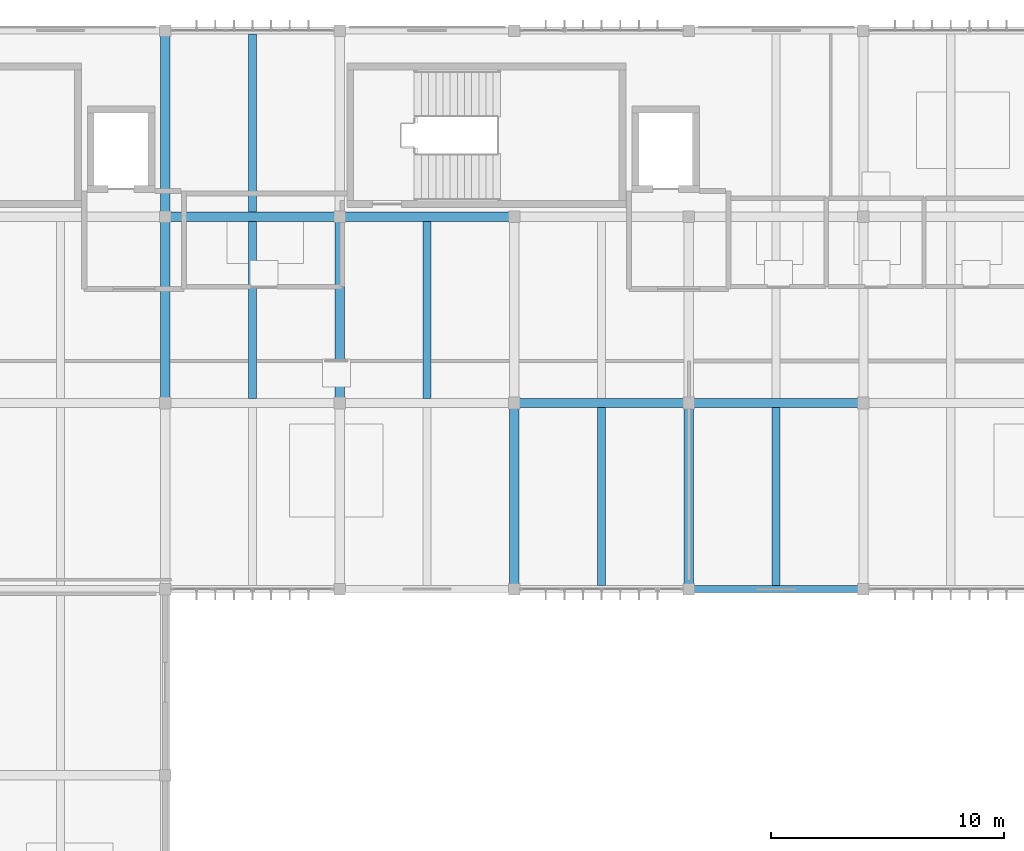
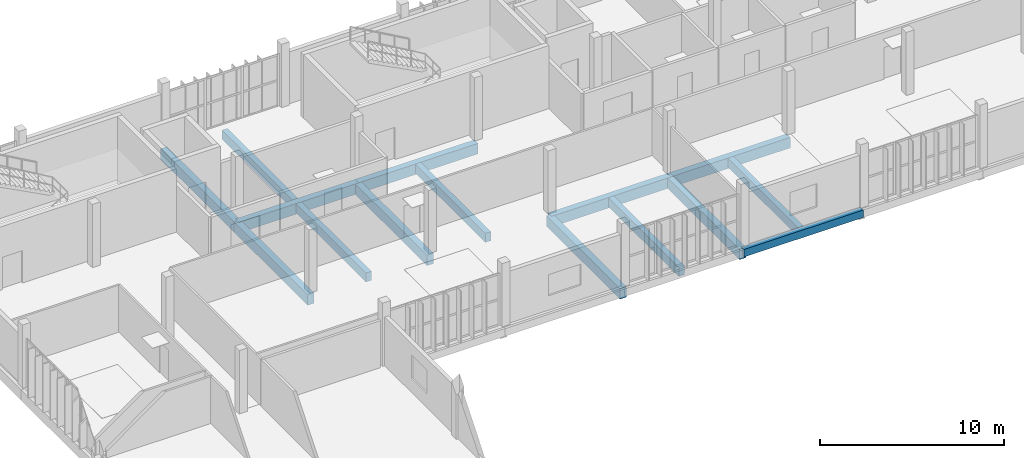
# One storey, part 6 of 27: 15 beams.
"""IFC4 building model written with IfcOpenShell, lengths in metres."""

from ifc_helpers import new_model, si_unit, direction, frame, origin, origin_2d, place, context, subcontext, project, spatial, rectangle, extrude, material, material_profile, profile_set, type_object, element, save


model = new_model("IFC4")

# Units and contexts
model_context = context("Model", 3, precision=1e-05, world=origin(), true_north=direction((0.0, 1.0)))
body_context = subcontext(model_context, "Body", "Model", "MODEL_VIEW")
ifc_project = project(units=[si_unit("LENGTHUNIT", "METRE"), si_unit("AREAUNIT", "SQUARE_METRE"), si_unit("VOLUMEUNIT", "CUBIC_METRE"), si_unit("PLANEANGLEUNIT", "RADIAN"), si_unit("MASSUNIT", "GRAM", prefix="KILO")], contexts=[model_context])

# Site, building, storey
site_placement = place(None, origin())
site = spatial("IfcSite", under=ifc_project, at=site_placement, CompositionType="ELEMENT")
building_placement = place(site_placement, origin())
building = spatial("IfcBuilding", under=site, at=building_placement, Name="Vourika Railside Aquatics Centre", CompositionType="ELEMENT")
storey_placement = place(building_placement, frame((0.0, 0.0, 13.5)))
storey = spatial("IfcBuildingStorey", under=building, at=storey_placement, Name="L03", CompositionType="ELEMENT", Elevation=13.5)

# Beams
ifc_material = material(Name="Concrete C35/45", Category="concrete")
ifc_material_profile_1 = material_profile(ifc_material, rectangle(XDim=0.39990234375, YDim=0.699951171875, at=origin_2d()), Name="RC 400x700")
ifc_profile_set_1 = profile_set([ifc_material_profile_1], Name="Concrete C35/45")
beam_type_1 = type_object("IfcBeamType", Name="BM-GIRD-400x700", PredefinedType="BEAM", material=ifc_profile_set_1)
for number, where, z_axis, x_axis, name in (
    (1, (51.0, 100.0, -0.610107421875), (1.0, 0.0, 0.0), (0.0, 1.0, 0.0), "Floor Beam GX-L03-059"),
    (2, (58.5, 100.0, -0.610107421875), (1.0, 0.0, 0.0), (0.0, 1.0, 0.0), "Floor Beam GX-L03-060"),
    (3, (36.0, 108.0, -0.610107421875), (1.0, 0.0, 0.0), (0.0, 1.0, 0.0), "Floor Beam GX-L03-072"),
    (4, (43.5, 108.0, -0.610107421875), (1.0, 0.0, 0.0), (0.0, 1.0, 0.0), "Floor Beam GX-L03-073"),
):
    element("IfcBeam", number, at=place(storey_placement, frame(where, z_axis=z_axis, x_axis=x_axis)), inside=storey, type_object=beam_type_1, Name=name, PredefinedType="BEAM", context=body_context, shape_type="SweptSolid", body=[
        extrude(rectangle(XDim=0.39990234375, YDim=0.699951171875, at=origin_2d()), origin(), (0.0, 0.0, 1.0), 7.5),
    ])
for number, where, z_axis, x_axis, name in (
    (5, (36.0, 100.0, -0.610107421875), (0.0, 1.0, 0.0), (-1.0, 0.0, 0.0), "Floor Girder GY-L03-126"),
    (6, (36.0, 108.0, -0.610107421875), (0.0, 1.0, 0.0), (-1.0, 0.0, 0.0), "Floor Girder GY-L03-127"),
    (7, (43.5, 100.0, -0.610107421875), (0.0, 1.0, 0.0), (-1.0, 0.0, 0.0), "Floor Girder GY-L03-129"),
    (8, (51.0, 92.0, -0.610107421875), (0.0, 1.0, 0.0), (-1.0, 0.0, 0.0), "Floor Girder GY-L03-131"),
    (9, (58.5, 92.0, -0.610107421875), (0.0, 1.0, 0.0), (-1.0, 0.0, 0.0), "Floor Girder GY-L03-133"),
):
    element("IfcBeam", number, at=place(storey_placement, frame(where, z_axis=z_axis, x_axis=x_axis)), inside=storey, type_object=beam_type_1, Name=name, PredefinedType="BEAM", context=body_context, shape_type="SweptSolid", body=[
        extrude(rectangle(XDim=0.39990234375, YDim=0.699951171875, at=origin_2d()), origin(), (0.0, 0.0, 1.0), 8.0),
    ])
ifc_material_profile_2 = material_profile(ifc_material, rectangle(XDim=0.35009765625, YDim=0.60009765625, at=origin_2d()), Name="RC 350x600")
ifc_profile_set_2 = profile_set([ifc_material_profile_2], Name="Concrete C35/45")
beam_type_2 = type_object("IfcBeamType", Name="BM-SEC-350x600", PredefinedType="JOIST", material=ifc_profile_set_2)
for number, where, z_axis, x_axis, name in (
    (10, (54.75, 92.14990234375, -0.56005859375), (0.0, 1.0, 0.0), (-1.0, 0.0, 0.0), "Secondary Joist JY-L03-218"),
    (11, (62.25, 92.14990234375, -0.56005859375), (0.0, 1.0, 0.0), (-1.0, 0.0, 0.0), "Secondary Joist JY-L03-219"),
):
    element("IfcBeam", number, at=place(storey_placement, frame(where, z_axis=z_axis, x_axis=x_axis)), inside=storey, type_object=beam_type_2, Name=name, PredefinedType="JOIST", context=body_context, shape_type="SweptSolid", body=[
        extrude(rectangle(XDim=0.35009765625, YDim=0.60009765625, at=origin_2d()), origin(), (0.0, 0.0, 1.0), 7.650146484375),
    ])
for number, where, z_axis, x_axis, name in (
    (12, (39.75, 100.199951171875, -0.56005859375), (0.0, 1.0, 0.0), (-1.0, 0.0, 0.0), "Secondary Joist JY-L03-231"),
    (13, (47.25, 100.199951171875, -0.56005859375), (0.0, 1.0, 0.0), (-1.0, 0.0, 0.0), "Secondary Joist JY-L03-232"),
):
    element("IfcBeam", number, at=place(storey_placement, frame(where, z_axis=z_axis, x_axis=x_axis)), inside=storey, type_object=beam_type_2, Name=name, PredefinedType="JOIST", context=body_context, shape_type="SweptSolid", body=[
        extrude(rectangle(XDim=0.35009765625, YDim=0.60009765625, at=origin_2d()), origin(), (0.0, 0.0, 1.0), 7.60009765625),
    ])
beam_1_placement = place(storey_placement, frame((39.75, 108.199951171875, -0.56005859375), z_axis=(0.0, 1.0, 0.0), x_axis=(-1.0, 0.0, 0.0)))
element("IfcBeam", 14, at=beam_1_placement, inside=storey, type_object=beam_type_2, Name="Secondary Joist JY-L03-244", PredefinedType="JOIST", context=body_context, shape_type="SweptSolid", body=[
    extrude(rectangle(XDim=0.35009765625, YDim=0.60009765625, at=origin_2d()), origin(), (0.0, 0.0, 1.0), 7.650146484375),
])
ifc_material_profile_3 = material_profile(ifc_material, rectangle(XDim=0.300048828125, YDim=0.5, at=origin_2d()), Name="RC 300x500")
ifc_profile_set_3 = profile_set([ifc_material_profile_3], Name="Concrete C35/45")
beam_type_3 = type_object("IfcBeamType", Name="BM-SPAN-300x500", PredefinedType="SPANDREL", material=ifc_profile_set_3)
beam_2_placement = place(storey_placement, frame((58.5, 92.0, -0.510009765625), z_axis=(1.0, 0.0, 0.0), x_axis=(0.0, 1.0, 0.0)))
element("IfcBeam", 15, at=beam_2_placement, inside=storey, type_object=beam_type_3, Name="Floor Beam GX-L03-041", PredefinedType="SPANDREL", context=body_context, shape_type="SweptSolid", body=[
    extrude(rectangle(XDim=0.300048828125, YDim=0.5, at=origin_2d()), origin(), (0.0, 0.0, 1.0), 7.5),
])

save(model, "model.ifc")
